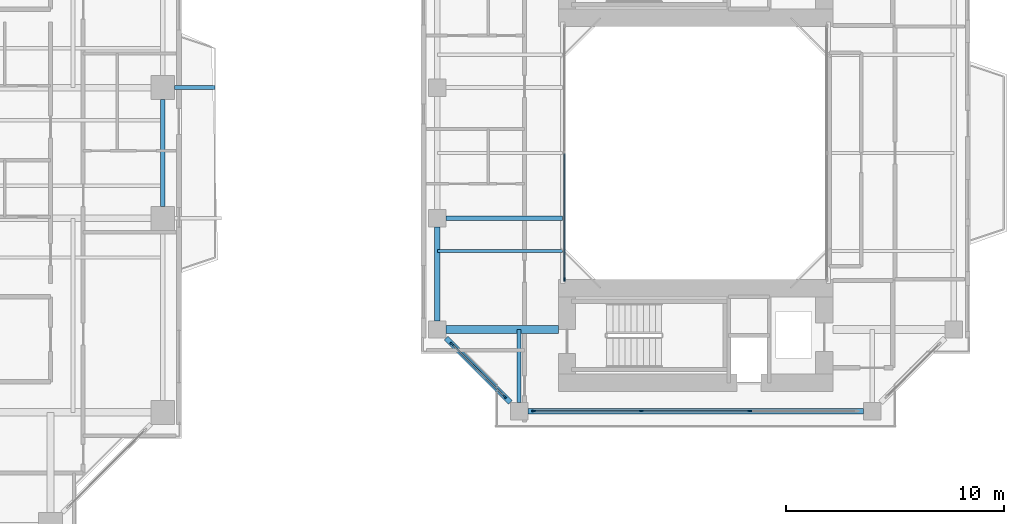
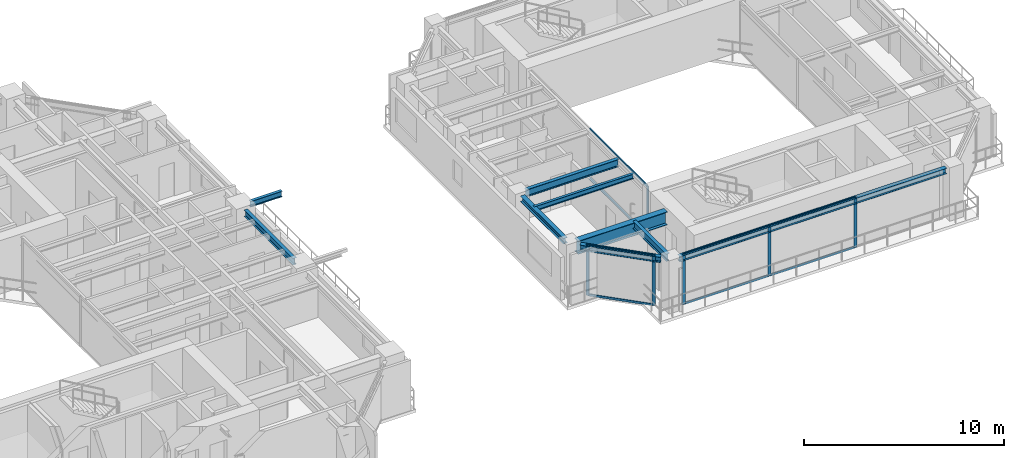
# One storey, part 7 of 23: 14 members, 9 beams, 3 elements without a shape of their own.
"""IFC4 building model written with IfcOpenShell, lengths in metres."""

from ifc_helpers import new_model, si_unit, direction, frame, origin, origin_2d, place, context, subcontext, project, spatial, rectangle, i_section, extrude, source, transform, mapped, material, layer, layer_set, material_profile, profile_set, type_object, element, aggregate, save


model = new_model("IFC4")

# Units and contexts
model_context = context("Model", 3, precision=1e-05, world=origin(), true_north=direction((0.0, 1.0)))
body_context = subcontext(model_context, "Body", "Model", "MODEL_VIEW")
ifc_project = project(units=[si_unit("LENGTHUNIT", "METRE"), si_unit("AREAUNIT", "SQUARE_METRE"), si_unit("VOLUMEUNIT", "CUBIC_METRE"), si_unit("PLANEANGLEUNIT", "RADIAN"), si_unit("MASSUNIT", "GRAM", prefix="KILO"), si_unit("THERMODYNAMICTEMPERATUREUNIT", "KELVIN"), si_unit("POWERUNIT", "WATT")], contexts=[model_context])

# Site, building, storey
site_placement = place(None, origin())
site = spatial("IfcSite", under=ifc_project, at=site_placement, CompositionType="ELEMENT")
building_placement = place(site_placement, origin())
building = spatial("IfcBuilding", under=site, at=building_placement, Name="Qiaomeng Ring Towers", CompositionType="ELEMENT")
storey_placement = place(building_placement, frame((0.0, 0.0, 100.25)))
storey = spatial("IfcBuildingStorey", under=building, at=storey_placement, Name="L28", CompositionType="ELEMENT", Elevation=100.25)

# Beams
ifc_material_1 = material(Name="Steel Q355B", Category="steel")
ifc_material_profile_1 = material_profile(ifc_material_1, i_section(OverallWidth=0.25, OverallDepth=0.340087890625, WebThickness=0.009033203125, FlangeThickness=0.013916015625, FilletRadius=0.02001953125, at=origin_2d()), Name="HM 340x250x9x14")
ifc_profile_set_1 = profile_set([ifc_material_profile_1], Name="Steel Q355B")
beam_type_1 = type_object("IfcBeamType", Name="STR-BM-HM340", PredefinedType="SPANDREL", material=ifc_profile_set_1)
shared_shape_1 = source(origin(), body_context, "Body", "SweptSolid", [
    extrude(i_section(OverallWidth=0.25, OverallDepth=0.340087890625, WebThickness=0.009033203125, FlangeThickness=0.013916015625, FilletRadius=0.02001953125, at=origin_2d()), origin(), (0.0, 0.0, 1.0), 15.40185546875),
])
beam_1_placement = place(storey_placement, frame((52.799072265625, 11.14990234375, 2.89990234375), z_axis=(1.0, 0.0, 0.0), x_axis=(0.0, 1.0, 0.0)))
element("IfcBeam", 1, at=beam_1_placement, inside=storey, type_object=beam_type_1, Name="L28 beam STR-SP-L28-T2-S1-S2", PredefinedType="SPANDREL", context=body_context, shape_type="MappedRepresentation", body=[
    mapped(shared_shape_1, transform((0.0, 0.0, 0.0), x_axis=(1.0, 0.0, 0.0), y_axis=(0.0, 1.0, 0.0), z_axis=(0.0, 0.0, 1.0), scale=1.0)),
])
shared_shape_2 = source(origin(), body_context, "Body", "SweptSolid", [
    extrude(i_section(OverallWidth=0.25, OverallDepth=0.340087890625, WebThickness=0.009033203125, FlangeThickness=0.013916015625, FilletRadius=0.02001953125, at=origin_2d()), origin(), (0.0, 0.0, 1.0), 4.173828125),
])
beam_2_placement = place(storey_placement, frame((49.04931640625, 14.500732421875, 2.89990234375), z_axis=(0.707106781187, -0.707106781187, 0.0), x_axis=(0.707106781187, 0.707106781187, 0.0)))
element("IfcBeam", 2, at=beam_2_placement, inside=storey, type_object=beam_type_1, Name="L28 beam STR-SP-L28-T2-W1-S1", PredefinedType="SPANDREL", context=body_context, shape_type="MappedRepresentation", body=[
    mapped(shared_shape_2, transform((0.0, 0.0, 0.0), x_axis=(1.0, 0.0, 0.0), y_axis=(0.0, 1.0, 0.0), z_axis=(0.0, 0.0, 1.0), scale=1.0)),
])
shared_shape_3 = source(origin(), body_context, "Body", "SweptSolid", [
    extrude(i_section(OverallWidth=0.25, OverallDepth=0.340087890625, WebThickness=0.009033203125, FlangeThickness=0.013916015625, FilletRadius=0.02001953125, at=origin_2d()), origin(), (0.0, 0.0, 1.0), 4.302001953125),
])
beam_3_placement = place(storey_placement, frame((48.64990234375, 19.60107421875, 2.89990234375), z_axis=(0.0, -1.0, 0.0), x_axis=(1.0, 0.0, 0.0)))
element("IfcBeam", 3, at=beam_3_placement, inside=storey, type_object=beam_type_1, Name="L28 beam STR-SP-L28-T2-W2-W1", PredefinedType="SPANDREL", context=body_context, shape_type="MappedRepresentation", body=[
    mapped(shared_shape_3, transform((0.0, 0.0, 0.0), x_axis=(1.0, 0.0, 0.0), y_axis=(0.0, 1.0, 0.0), z_axis=(0.0, 0.0, 1.0), scale=1.0)),
])
ifc_material_2 = material(Name="Steel Q390GJC", Category="steel")
ifc_material_profile_2 = material_profile(ifc_material_2, i_section(OverallWidth=0.35009765625, OverallDepth=0.800048828125, WebThickness=0.01611328125, FlangeThickness=0.028076171875, at=origin_2d()), Name="WH 800x350x16x28")
ifc_profile_set_2 = profile_set([ifc_material_profile_2], Name="Steel Q390GJC")
beam_type_2 = type_object("IfcBeamType", Name="STR-BM-WH800", PredefinedType="BEAM", material=ifc_profile_set_2)
shared_shape_4 = source(origin(), body_context, "Body", "SweptSolid", [
    extrude(i_section(OverallWidth=0.35009765625, OverallDepth=0.800048828125, WebThickness=0.01611328125, FlangeThickness=0.028076171875, at=origin_2d()), origin(), (0.0, 0.0, 1.0), 5.15087890625),
])
beam_4_placement = place(storey_placement, frame((49.049072265625, 14.89990234375, 2.669921875), z_axis=(1.0, 0.0, 0.0), x_axis=(0.0, 1.0, 0.0)))
element("IfcBeam", 4, at=beam_4_placement, inside=storey, type_object=beam_type_2, Name="L28 beam STR-BM-L28-T2-RAD-W1", PredefinedType="BEAM", context=body_context, shape_type="MappedRepresentation", body=[
    mapped(shared_shape_4, transform((0.0, 0.0, 0.0), x_axis=(1.0, 0.0, 0.0), y_axis=(0.0, 1.0, 0.0), z_axis=(0.0, 0.0, 1.0), scale=1.0)),
])
ifc_material_profile_3 = material_profile(ifc_material_1, i_section(OverallWidth=0.199951171875, OverallDepth=0.449951171875, WebThickness=0.009033203125, FlangeThickness=0.013916015625, FilletRadius=0.01806640625, at=origin_2d()), Name="HN 450x200x9x14")
ifc_profile_set_3 = profile_set([ifc_material_profile_3], Name="Steel Q355B")
beam_type_3 = type_object("IfcBeamType", Name="STR-BM-HN450", PredefinedType="SPANDREL", material=ifc_profile_set_3)
shared_shape_5 = source(origin(), body_context, "Body", "SweptSolid", [
    extrude(i_section(OverallWidth=0.199951171875, OverallDepth=0.449951171875, WebThickness=0.009033203125, FlangeThickness=0.013916015625, FilletRadius=0.01806640625, at=origin_2d()), origin(), (0.0, 0.0, 1.0), 5.350830078125),
])
beam_5_placement = place(storey_placement, frame((49.049072265625, 20.0, 2.844970703125), z_axis=(1.0, 0.0, 0.0), x_axis=(0.0, 1.0, 0.0)))
element("IfcBeam", 5, at=beam_5_placement, inside=storey, type_object=beam_type_3, Name="L28 beam STR-BM-L28-T2-RAD-W2", PredefinedType="SPANDREL", context=body_context, shape_type="MappedRepresentation", body=[
    mapped(shared_shape_5, transform((0.0, 0.0, 0.0), x_axis=(1.0, 0.0, 0.0), y_axis=(0.0, 1.0, 0.0), z_axis=(0.0, 0.0, 1.0), scale=1.0)),
])
shared_shape_6 = source(origin(), body_context, "Body", "SweptSolid", [
    extrude(i_section(OverallWidth=0.199951171875, OverallDepth=0.449951171875, WebThickness=0.009033203125, FlangeThickness=0.013916015625, FilletRadius=0.01806640625, at=origin_2d()), origin(), (0.0, 0.0, 1.0), 3.350830078125),
])
beam_6_placement = place(storey_placement, frame((52.39990234375, 11.549072265625, 2.844970703125), z_axis=(0.0, 1.0, 0.0), x_axis=(-1.0, 0.0, 0.0)))
element("IfcBeam", 6, at=beam_6_placement, inside=storey, type_object=beam_type_3, Name="L28 beam STR-BM-L28-T2-RAD-S1", PredefinedType="SPANDREL", context=body_context, shape_type="MappedRepresentation", body=[
    mapped(shared_shape_6, transform((0.0, 0.0, 0.0), x_axis=(1.0, 0.0, 0.0), y_axis=(0.0, 1.0, 0.0), z_axis=(0.0, 0.0, 1.0), scale=1.0)),
])
ifc_material_profile_4 = material_profile(ifc_material_1, i_section(OverallWidth=0.14990234375, OverallDepth=0.300048828125, WebThickness=0.006591796875, FlangeThickness=0.009033203125, FilletRadius=0.012939453125, at=origin_2d()), Name="HN 300x150x6.5x9")
ifc_profile_set_4 = profile_set([ifc_material_profile_4], Name="Steel Q355B")
beam_type_4 = type_object("IfcBeamType", Name="STR-BM-HN300", PredefinedType="JOIST", material=ifc_profile_set_4)
shared_shape_7 = source(origin(), body_context, "Body", "SweptSolid", [
    extrude(i_section(OverallWidth=0.14990234375, OverallDepth=0.300048828125, WebThickness=0.006591796875, FlangeThickness=0.009033203125, FilletRadius=0.012939453125, at=origin_2d()), origin(), (0.0, 0.0, 1.0), 5.75),
])
beam_7_placement = place(storey_placement, frame((48.64990234375, 18.5, 2.919921875), z_axis=(1.0, 0.0, 0.0), x_axis=(0.0, 1.0, 0.0)))
element("IfcBeam", 7, at=beam_7_placement, inside=storey, type_object=beam_type_4, Name="L28 beam STR-JST-L28-T2W-1", PredefinedType="JOIST", context=body_context, shape_type="MappedRepresentation", body=[
    mapped(shared_shape_7, transform((0.0, 0.0, 0.0), x_axis=(1.0, 0.0, 0.0), y_axis=(0.0, 1.0, 0.0), z_axis=(0.0, 0.0, 1.0), scale=1.0)),
])
ifc_material_profile_5 = material_profile(ifc_material_1, i_section(OverallWidth=0.199951171875, OverallDepth=0.39990234375, WebThickness=0.008056640625, FlangeThickness=0.012939453125, FilletRadius=0.01611328125, at=origin_2d()), Name="HN 400x200x8x13")
ifc_profile_set_5 = profile_set([ifc_material_profile_5], Name="Steel Q355B")
beam_type_5 = type_object("IfcBeamType", Name="STR-BM-HN400", PredefinedType="SPANDREL", material=ifc_profile_set_5)
shared_shape_8 = source(origin(), body_context, "Body", "SweptSolid", [
    extrude(i_section(OverallWidth=0.199951171875, OverallDepth=0.39990234375, WebThickness=0.008056640625, FlangeThickness=0.012939453125, FilletRadius=0.01611328125, at=origin_2d()), origin(), (0.0, 0.0, 1.0), 4.90185546875),
])
beam_8_placement = place(storey_placement, frame((36.050048828125, 20.549072265625, 2.8701171875), z_axis=(0.0, 1.0, 0.0), x_axis=(-1.0, 0.0, 0.0)))
element("IfcBeam", 8, at=beam_8_placement, inside=storey, type_object=beam_type_5, Name="L28 beam STR-SP-L28-T1-E2-E3", PredefinedType="SPANDREL", context=body_context, shape_type="MappedRepresentation", body=[
    mapped(shared_shape_8, transform((0.0, 0.0, 0.0), x_axis=(1.0, 0.0, 0.0), y_axis=(0.0, 1.0, 0.0), z_axis=(0.0, 0.0, 1.0), scale=1.0)),
])
ifc_material_profile_6 = material_profile(ifc_material_1, i_section(OverallWidth=0.175048828125, OverallDepth=0.35009765625, WebThickness=0.007080078125, FlangeThickness=0.010986328125, FilletRadius=0.013916015625, at=origin_2d()), Name="HN 350x175x7x11")
ifc_profile_set_6 = profile_set([ifc_material_profile_6], Name="Steel Q355B")
beam_type_6 = type_object("IfcBeamType", Name="STR-BM-HN350", PredefinedType="JOIST", material=ifc_profile_set_6)
shared_shape_9 = source(origin(), body_context, "Body", "SweptSolid", [
    extrude(i_section(OverallWidth=0.175048828125, OverallDepth=0.35009765625, WebThickness=0.007080078125, FlangeThickness=0.010986328125, FilletRadius=0.013916015625, at=origin_2d()), origin(), (0.0, 0.0, 1.0), 1.8408203125),
])
beam_9_placement = place(storey_placement, frame((36.59912109375, 26.0, 2.89501953125), z_axis=(1.0, 0.0, 0.0), x_axis=(0.0, 1.0, 0.0)))
element("IfcBeam", 9, at=beam_9_placement, inside=storey, type_object=beam_type_6, Name="L28 beam STR-BALBM-L28-E3", PredefinedType="JOIST", context=body_context, shape_type="MappedRepresentation", body=[
    mapped(shared_shape_9, transform((0.0, 0.0, 0.0), x_axis=(1.0, 0.0, 0.0), y_axis=(0.0, 1.0, 0.0), z_axis=(0.0, 0.0, 1.0), scale=1.0)),
])

# Curtain wall, members
ifc_material_3 = material(Name="Fluorocarbon dark-grey aluminium", Category="aluminium")
ifc_layer_1 = layer(ifc_material_3, 0.139892578125, Name="Fluorocarbon dark-grey aluminium")
ifc_layer_set_1 = layer_set([ifc_layer_1], Name="Fluorocarbon dark-grey aluminium")
curtain_wall_type_1 = type_object("IfcCurtainWallType", Name="ARC-CW-4", PredefinedType="NOTDEFINED", material=ifc_layer_set_1)
curtain_wall_1_placement = place(storey_placement, origin())
curtain_wall_1 = element("IfcCurtainWall", 10, at=curtain_wall_1_placement, inside=storey, type_object=curtain_wall_type_1, Name="L28 Curtain Wall CW4", PredefinedType="NOTDEFINED")
ifc_material_profile_7 = material_profile(ifc_material_3, rectangle(XDim=0.06494140625, YDim=0.159912109375, at=origin_2d()), Name="ALU MULL 65x160")
ifc_profile_set_7 = profile_set([ifc_material_profile_7], Name="Fluorocarbon dark-grey aluminium")
member_type_1 = type_object("IfcMemberType", Name="ARC-CWM-140", PredefinedType="MULLION", material=ifc_profile_set_7)
shared_shape_10 = source(origin(), body_context, "Body", "SweptSolid", [
    extrude(rectangle(XDim=0.06494140625, YDim=0.159912109375, at=origin_2d()), origin(), (0.0, 0.0, 1.0), 3.070068359375),
])
member_1_placement = place(storey_placement, frame((54.47998046875, 17.1826171875, 0.0), z_axis=(0.0, 0.0, 1.0), x_axis=(-1.0, 0.0, 0.0)))
member_1 = element("IfcMember", 11, at=member_1_placement, type_object=member_type_1, Name="CW4 mullion 1", PredefinedType="MULLION", context=body_context, shape_type="MappedRepresentation", body=[
    mapped(shared_shape_10, transform((0.0, 0.0, 0.0), x_axis=(1.0, 0.0, 0.0), y_axis=(0.0, 1.0, 0.0), z_axis=(0.0, 0.0, 1.0), scale=1.0)),
])
ifc_material_profile_8 = material_profile(ifc_material_3, rectangle(XDim=0.06494140625, YDim=0.1298828125, at=origin_2d()), Name="ALU TRAN 65x130")
ifc_profile_set_8 = profile_set([ifc_material_profile_8], Name="Fluorocarbon dark-grey aluminium")
member_type_2 = type_object("IfcMemberType", Name="ARC-CWT-120", PredefinedType="USERDEFINED", material=ifc_profile_set_8)
shared_shape_11 = source(origin(), body_context, "Body", "SweptSolid", [
    extrude(rectangle(XDim=0.06494140625, YDim=0.1298828125, at=origin_2d()), origin(), (0.0, 0.0, 1.0), 5.75244140625),
])
member_2_placement = place(storey_placement, frame((54.47998046875, 17.215087890625, 0.032470703125), z_axis=(0.0, 1.0, 0.0), x_axis=(-1.0, 0.0, 0.0)))
member_2 = element("IfcMember", 12, at=member_2_placement, type_object=member_type_2, Name="CW4 transom 1.1", ObjectType="TRANSOM", PredefinedType="USERDEFINED", context=body_context, shape_type="MappedRepresentation", body=[
    mapped(shared_shape_11, transform((0.0, 0.0, 0.0), x_axis=(1.0, 0.0, 0.0), y_axis=(0.0, 1.0, 0.0), z_axis=(0.0, 0.0, 1.0), scale=1.0)),
])
member_3_placement = place(storey_placement, frame((54.47998046875, 17.215087890625, 3.03759765625), z_axis=(0.0, 1.0, 0.0), x_axis=(-1.0, 0.0, 0.0)))
member_3 = element("IfcMember", 13, at=member_3_placement, type_object=member_type_2, Name="CW4 transom 1.2", ObjectType="TRANSOM", PredefinedType="USERDEFINED", context=body_context, shape_type="MappedRepresentation", body=[
    mapped(shared_shape_11, transform((0.0, 0.0, 0.0), x_axis=(1.0, 0.0, 0.0), y_axis=(0.0, 1.0, 0.0), z_axis=(0.0, 0.0, 1.0), scale=1.0)),
])
aggregate(curtain_wall_1, [member_1, member_2, member_3])

ifc_layer_2 = layer(ifc_material_3, 0.14990234375, Name="Fluorocarbon dark-grey aluminium")
ifc_layer_set_2 = layer_set([ifc_layer_2], Name="Fluorocarbon dark-grey aluminium")
curtain_wall_type_2 = type_object("IfcCurtainWallType", Name="ARC-CW-5", PredefinedType="NOTDEFINED", material=ifc_layer_set_2)
curtain_wall_2_placement = place(storey_placement, origin())
curtain_wall_2 = element("IfcCurtainWall", 14, at=curtain_wall_2_placement, inside=storey, type_object=curtain_wall_type_2, Name="L28 Curtain Wall CW5", PredefinedType="NOTDEFINED")
ifc_material_profile_9 = material_profile(ifc_material_3, rectangle(XDim=0.070068359375, YDim=0.179931640625, at=origin_2d()), Name="ALU MULL 70x180")
ifc_profile_set_9 = profile_set([ifc_material_profile_9], Name="Fluorocarbon dark-grey aluminium")
member_type_3 = type_object("IfcMemberType", Name="ARC-CWM-160", PredefinedType="MULLION", material=ifc_profile_set_9)
shared_shape_12 = source(origin(), body_context, "Body", "SweptSolid", [
    extrude(rectangle(XDim=0.070068359375, YDim=0.179931640625, at=origin_2d()), origin(), (0.0, 0.0, 1.0), 3.070068359375),
])
member_4_placement = place(storey_placement, frame((49.314697265625, 14.2353515625, 0.0), z_axis=(0.0, 0.0, 1.0), x_axis=(0.707106781187, 0.707106781187, 0.0)))
member_4 = element("IfcMember", 15, at=member_4_placement, type_object=member_type_3, Name="CW5 mullion 1", PredefinedType="MULLION", context=body_context, shape_type="MappedRepresentation", body=[
    mapped(shared_shape_12, transform((0.0, 0.0, 0.0), x_axis=(1.0, 0.0, 0.0), y_axis=(0.0, 1.0, 0.0), z_axis=(0.0, 0.0, 1.0), scale=1.0)),
])
member_5_placement = place(storey_placement, frame((51.7353515625, 11.814697265625, 0.0), z_axis=(0.0, 0.0, 1.0), x_axis=(0.707106781187, 0.707106781187, 0.0)))
member_5 = element("IfcMember", 16, at=member_5_placement, type_object=member_type_3, Name="CW5 mullion 2", PredefinedType="MULLION", context=body_context, shape_type="MappedRepresentation", body=[
    mapped(shared_shape_12, transform((0.0, 0.0, 0.0), x_axis=(1.0, 0.0, 0.0), y_axis=(0.0, 1.0, 0.0), z_axis=(0.0, 0.0, 1.0), scale=1.0)),
])

curtain_wall_3_placement = place(storey_placement, origin())
curtain_wall_3 = element("IfcCurtainWall", 17, at=curtain_wall_3_placement, inside=storey, type_object=curtain_wall_type_2, Name="L28 Curtain Wall CW5", PredefinedType="NOTDEFINED")
member_6_placement = place(storey_placement, frame((53.074951171875, 11.14990234375, 0.0), z_axis=(0.0, 0.0, 1.0), x_axis=(0.0, 1.0, 0.0)))
member_6 = element("IfcMember", 18, at=member_6_placement, type_object=member_type_3, Name="CW5 mullion 1", PredefinedType="MULLION", context=body_context, shape_type="MappedRepresentation", body=[
    mapped(shared_shape_12, transform((0.0, 0.0, 0.0), x_axis=(1.0, 0.0, 0.0), y_axis=(0.0, 1.0, 0.0), z_axis=(0.0, 0.0, 1.0), scale=1.0)),
])
member_7_placement = place(storey_placement, frame((58.013427734375, 11.14990234375, 0.0), z_axis=(0.0, 0.0, 1.0), x_axis=(0.0, 1.0, 0.0)))
member_7 = element("IfcMember", 19, at=member_7_placement, type_object=member_type_3, Name="CW5 mullion 2", PredefinedType="MULLION", context=body_context, shape_type="MappedRepresentation", body=[
    mapped(shared_shape_12, transform((0.0, 0.0, 0.0), x_axis=(1.0, 0.0, 0.0), y_axis=(0.0, 1.0, 0.0), z_axis=(0.0, 0.0, 1.0), scale=1.0)),
])
member_8_placement = place(storey_placement, frame((62.986572265625, 11.14990234375, 0.0), z_axis=(0.0, 0.0, 1.0), x_axis=(0.0, 1.0, 0.0)))
member_8 = element("IfcMember", 20, at=member_8_placement, type_object=member_type_3, Name="CW5 mullion 3", PredefinedType="MULLION", context=body_context, shape_type="MappedRepresentation", body=[
    mapped(shared_shape_12, transform((0.0, 0.0, 0.0), x_axis=(1.0, 0.0, 0.0), y_axis=(0.0, 1.0, 0.0), z_axis=(0.0, 0.0, 1.0), scale=1.0)),
])
shared_shape_13 = source(origin(), body_context, "Body", "SweptSolid", [
    extrude(rectangle(XDim=0.06494140625, YDim=0.1298828125, at=origin_2d()), origin(), (0.0, 0.0, 1.0), 4.8681640625),
])
member_9_placement = place(storey_placement, frame((53.110107421875, 11.14990234375, 0.032470703125), z_axis=(1.0, 0.0, 0.0), x_axis=(0.0, 1.0, 0.0)))
member_9 = element("IfcMember", 21, at=member_9_placement, type_object=member_type_2, Name="CW5 transom 1.1", ObjectType="TRANSOM", PredefinedType="USERDEFINED", context=body_context, shape_type="MappedRepresentation", body=[
    mapped(shared_shape_13, transform((0.0, 0.0, 0.0), x_axis=(1.0, 0.0, 0.0), y_axis=(0.0, 1.0, 0.0), z_axis=(0.0, 0.0, 1.0), scale=1.0)),
])
member_10_placement = place(storey_placement, frame((53.110107421875, 11.14990234375, 3.03759765625), z_axis=(1.0, 0.0, 0.0), x_axis=(0.0, 1.0, 0.0)))
member_10 = element("IfcMember", 22, at=member_10_placement, type_object=member_type_2, Name="CW5 transom 1.2", ObjectType="TRANSOM", PredefinedType="USERDEFINED", context=body_context, shape_type="MappedRepresentation", body=[
    mapped(shared_shape_13, transform((0.0, 0.0, 0.0), x_axis=(1.0, 0.0, 0.0), y_axis=(0.0, 1.0, 0.0), z_axis=(0.0, 0.0, 1.0), scale=1.0)),
])
shared_shape_14 = source(origin(), body_context, "Body", "SweptSolid", [
    extrude(rectangle(XDim=0.06494140625, YDim=0.1298828125, at=origin_2d()), origin(), (0.0, 0.0, 1.0), 4.9033203125),
])
member_11_placement = place(storey_placement, frame((58.04833984375, 11.14990234375, 0.032470703125), z_axis=(1.0, 0.0, 0.0), x_axis=(0.0, 1.0, 0.0)))
member_11 = element("IfcMember", 23, at=member_11_placement, type_object=member_type_2, Name="CW5 transom 2.1", ObjectType="TRANSOM", PredefinedType="USERDEFINED", context=body_context, shape_type="MappedRepresentation", body=[
    mapped(shared_shape_14, transform((0.0, 0.0, 0.0), x_axis=(1.0, 0.0, 0.0), y_axis=(0.0, 1.0, 0.0), z_axis=(0.0, 0.0, 1.0), scale=1.0)),
])
member_12_placement = place(storey_placement, frame((58.04833984375, 11.14990234375, 3.03759765625), z_axis=(1.0, 0.0, 0.0), x_axis=(0.0, 1.0, 0.0)))
member_12 = element("IfcMember", 24, at=member_12_placement, type_object=member_type_2, Name="CW5 transom 2.2", ObjectType="TRANSOM", PredefinedType="USERDEFINED", context=body_context, shape_type="MappedRepresentation", body=[
    mapped(shared_shape_14, transform((0.0, 0.0, 0.0), x_axis=(1.0, 0.0, 0.0), y_axis=(0.0, 1.0, 0.0), z_axis=(0.0, 0.0, 1.0), scale=1.0)),
])
aggregate(curtain_wall_3, [member_6, member_7, member_8, member_9, member_10, member_11, member_12])

# Member
shared_shape_15 = source(origin(), body_context, "Body", "SweptSolid", [
    extrude(rectangle(XDim=0.06494140625, YDim=0.1298828125, at=origin_2d()), origin(), (0.0, 0.0, 1.0), 3.352783203125),
])
member_13_placement = place(storey_placement, frame((49.339599609375, 14.21044921875, 0.032470703125), z_axis=(0.707106781187, -0.707106781187, 0.0), x_axis=(0.707106781187, 0.707106781187, 0.0)))
member_13 = element("IfcMember", 25, at=member_13_placement, type_object=member_type_2, Name="CW5 transom 1.1", ObjectType="TRANSOM", PredefinedType="USERDEFINED", context=body_context, shape_type="MappedRepresentation", body=[
    mapped(shared_shape_15, transform((0.0, 0.0, 0.0), x_axis=(1.0, 0.0, 0.0), y_axis=(0.0, 1.0, 0.0), z_axis=(0.0, 0.0, 1.0), scale=1.0)),
])

member_14_placement = place(storey_placement, frame((49.339599609375, 14.21044921875, 3.03759765625), z_axis=(0.707106781187, -0.707106781187, 0.0), x_axis=(0.707106781187, 0.707106781187, 0.0)))
member_14 = element("IfcMember", 26, at=member_14_placement, type_object=member_type_2, Name="CW5 transom 1.2", ObjectType="TRANSOM", PredefinedType="USERDEFINED", context=body_context, shape_type="MappedRepresentation", body=[
    mapped(shared_shape_15, transform((0.0, 0.0, 0.0), x_axis=(1.0, 0.0, 0.0), y_axis=(0.0, 1.0, 0.0), z_axis=(0.0, 0.0, 1.0), scale=1.0)),
])

aggregate(curtain_wall_2, [member_4, member_5, member_13, member_14])

save(model, "model.ifc")
